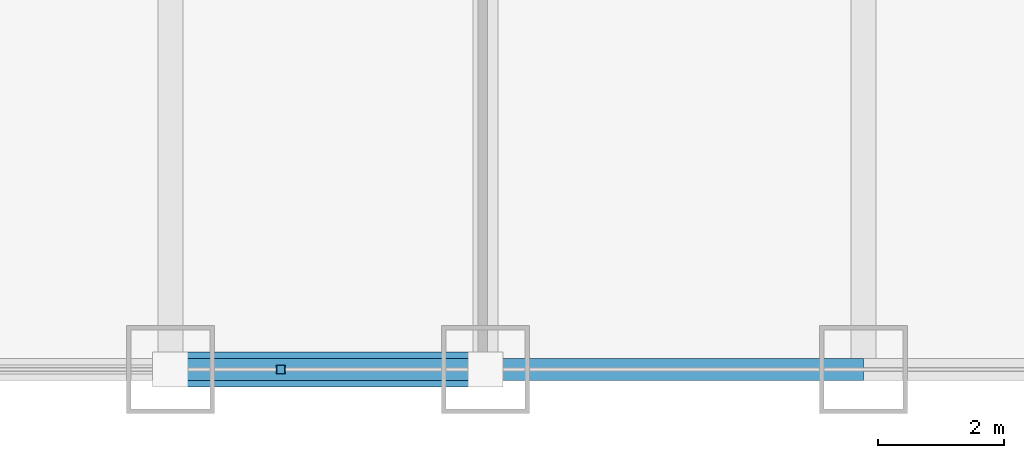
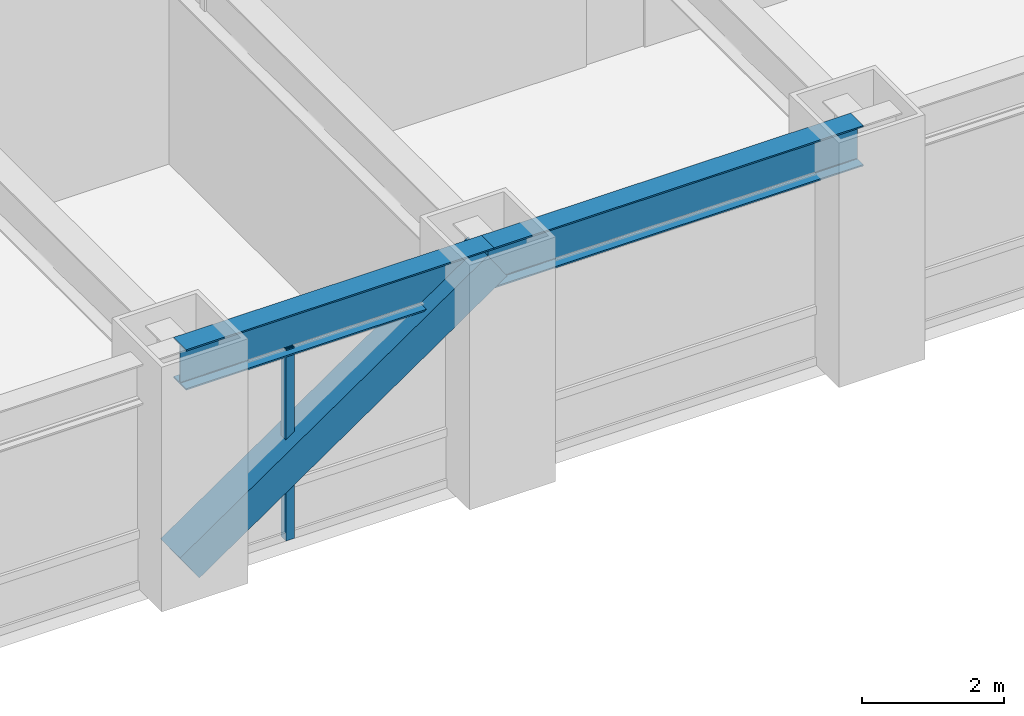
# One storey, part 4 of 28: 2 beams, 2 members, 1 element without a shape of its own.
"""IFC4 building model written with IfcOpenShell, lengths in metres."""

from ifc_helpers import new_model, si_unit, direction, frame, origin, origin_2d, place, context, subcontext, project, spatial, hollow_rectangle, i_section, extrude, source, transform, mapped, material, material_profile, profile_set, type_object, element, aggregate, save


model = new_model("IFC4")

# Units and contexts
model_context = context("Model", 3, precision=1e-05, world=origin(), true_north=direction((0.0, 1.0)))
body_context = subcontext(model_context, "Body", "Model", "MODEL_VIEW")
ifc_project = project(units=[si_unit("LENGTHUNIT", "METRE"), si_unit("AREAUNIT", "SQUARE_METRE"), si_unit("VOLUMEUNIT", "CUBIC_METRE"), si_unit("PLANEANGLEUNIT", "RADIAN"), si_unit("MASSUNIT", "GRAM", prefix="KILO")], contexts=[model_context])

# Site, building, storey
site_placement = place(None, origin())
site = spatial("IfcSite", under=ifc_project, at=site_placement, CompositionType="ELEMENT")
building_placement = place(site_placement, origin())
building = spatial("IfcBuilding", under=site, at=building_placement, Name="Khorayat Bourse Tower", CompositionType="ELEMENT")
storey_placement = place(building_placement, frame((0.0, 0.0, 66.199951171875)))
storey = spatial("IfcBuildingStorey", under=building, at=storey_placement, Name="L14", CompositionType="ELEMENT", Elevation=66.199951171875)

# Beams
ifc_material_1 = material(Name="Steel ASTM A992 Grade 50", Category="steel")
ifc_material_profile_1 = material_profile(ifc_material_1, i_section(OverallWidth=0.35498046875, OverallDepth=0.695068359375, WebThickness=0.015380859375, FlangeThickness=0.02490234375, FilletRadius=0.01806640625, at=origin_2d()), Name="W690X217")
ifc_profile_set_1 = profile_set([ifc_material_profile_1], Name="Steel ASTM A992 Grade 50")
beam_type = type_object("IfcBeamType", Name="BM-SPAN-690", PredefinedType="SPANDREL", material=ifc_profile_set_1)
shared_shape_1 = source(origin(), body_context, "Body", "SweptSolid", [
    extrude(i_section(OverallWidth=0.35498046875, OverallDepth=0.695068359375, WebThickness=0.015380859375, FlangeThickness=0.02490234375, FilletRadius=0.01806640625, at=origin_2d()), origin(), (0.0, 0.0, 1.0), 5.0),
])
beam_1_placement = place(storey_placement, frame((-11.0, -32.0, 3.592529296875), z_axis=(1.0, 0.0, 0.0), x_axis=(0.0, 1.0, 0.0)))
element("IfcBeam", 1, at=beam_1_placement, inside=storey, type_object=beam_type, Name="L14 BM-SPAN-690 BM-L14-SPN-026", PredefinedType="SPANDREL", context=body_context, shape_type="MappedRepresentation", body=[
    mapped(shared_shape_1, transform((0.0, 0.0, 0.0), scale=1.0)),
])
shared_shape_2 = source(origin(), body_context, "Body", "SweptSolid", [
    extrude(i_section(OverallWidth=0.35498046875, OverallDepth=0.695068359375, WebThickness=0.015380859375, FlangeThickness=0.02490234375, FilletRadius=0.01806640625, at=origin_2d()), origin(), (0.0, 0.0, 1.0), 6.0),
])
beam_2_placement = place(storey_placement, frame((-6.0, -32.0, 3.592529296875), z_axis=(1.0, 0.0, 0.0), x_axis=(0.0, 1.0, 0.0)))
element("IfcBeam", 2, at=beam_2_placement, inside=storey, type_object=beam_type, Name="L14 BM-SPAN-690 BM-L14-SPN-027", PredefinedType="SPANDREL", context=body_context, shape_type="MappedRepresentation", body=[
    mapped(shared_shape_2, transform((0.0, 0.0, 0.0), scale=1.0)),
])

# Member
ifc_material_2 = material(Name="Steel EN 10025-4 S460M", Category="steel")
ifc_material_profile_2 = material_profile(ifc_material_2, hollow_rectangle(XDim=0.550048828125, YDim=0.550048828125, WallThickness=0.031982421875, at=origin_2d()), Name="HSS 550x550x32")
ifc_profile_set_2 = profile_set([ifc_material_profile_2], Name="Steel EN 10025-4 S460M")
member_type_1 = type_object("IfcMemberType", Name="MBR-TUBE-550", PredefinedType="BRACE", material=ifc_profile_set_2)
shared_shape_3 = source(origin(), body_context, "Body", "SweptSolid", [
    extrude(hollow_rectangle(XDim=0.550048828125, YDim=0.550048828125, WallThickness=0.031982421875, at=origin_2d()), origin(), (0.0, 0.0, 1.0), 6.069091796875),
])
member_1_placement = place(storey_placement, frame((-11.0, -32.0, 0.25), z_axis=(0.823854080622, 0.0, 0.566801952928), x_axis=(0.0, 1.0, 0.0)))
element("IfcMember", 3, at=member_1_placement, inside=storey, type_object=member_type_1, Name="L14 Perimeter Tube Brace 01", PredefinedType="BRACE", context=body_context, shape_type="MappedRepresentation", body=[
    mapped(shared_shape_3, transform((0.0, 0.0, 0.0), scale=1.0)),
])

# Curtain wall, member
ifc_material_3 = material(Name="Aluminium EN AW-6063 T6", Category="aluminium")
curtain_wall_type = type_object("IfcCurtainWallType", Name="CW-SYS-02", PredefinedType="NOTDEFINED", material=ifc_material_3)
curtain_wall_placement = place(storey_placement, origin())
curtain_wall = element("IfcCurtainWall", 4, at=curtain_wall_placement, inside=storey, type_object=curtain_wall_type, Name="L14 Curtain Wall CW-L14-S1", PredefinedType="NOTDEFINED")
ifc_material_profile_3 = material_profile(ifc_material_3, hollow_rectangle(XDim=0.139892578125, YDim=0.139892578125, WallThickness=0.006103515625, at=origin_2d()), Name="ALU 140x140x6")
ifc_profile_set_3 = profile_set([ifc_material_profile_3], Name="Aluminium EN AW-6063 T6")
member_type_2 = type_object("IfcMemberType", Name="CWM-VERT-140", PredefinedType="MULLION", material=ifc_profile_set_3)
shared_shape_4 = source(origin(), body_context, "Body", "SweptSolid", [
    extrude(hollow_rectangle(XDim=0.139892578125, YDim=0.139892578125, WallThickness=0.006103515625, at=origin_2d()), origin(), (0.0, 0.0, 1.0), 3.2900390625),
])
member_2_placement = place(storey_placement, frame((-9.25, -32.0, 0.0), z_axis=(0.0, 0.0, 1.0), x_axis=(0.0, 1.0, 0.0)))
member_2 = element("IfcMember", 5, at=member_2_placement, type_object=member_type_2, Name="CW-L14-S1 Vertical Mullion 2", PredefinedType="MULLION", context=body_context, shape_type="MappedRepresentation", body=[
    mapped(shared_shape_4, transform((0.0, 0.0, 0.0), scale=1.0)),
])
aggregate(curtain_wall, [member_2])

save(model, "model.ifc")
